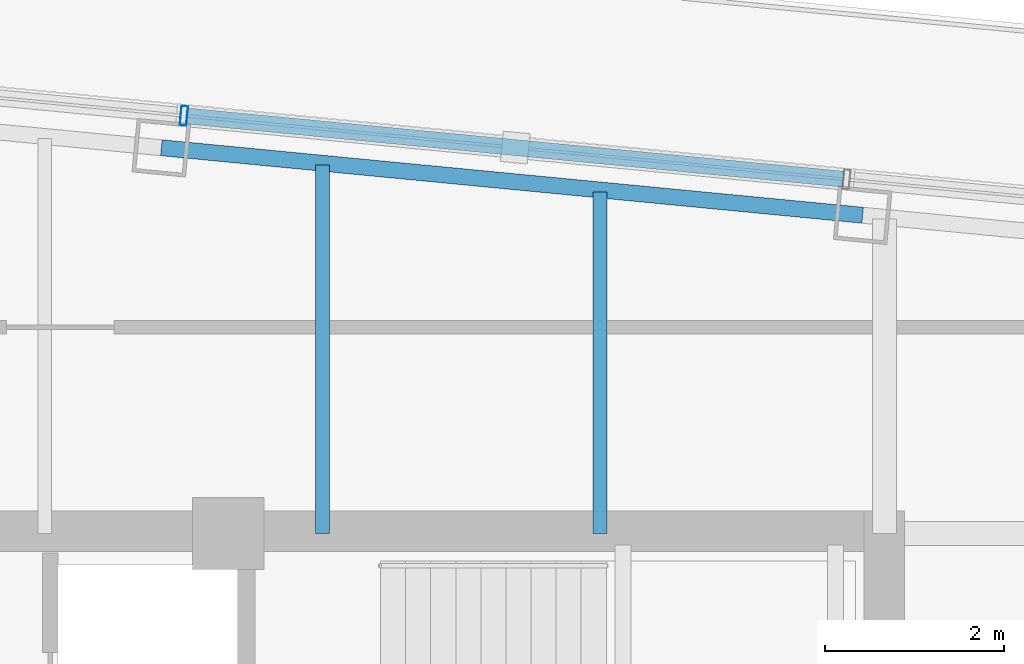
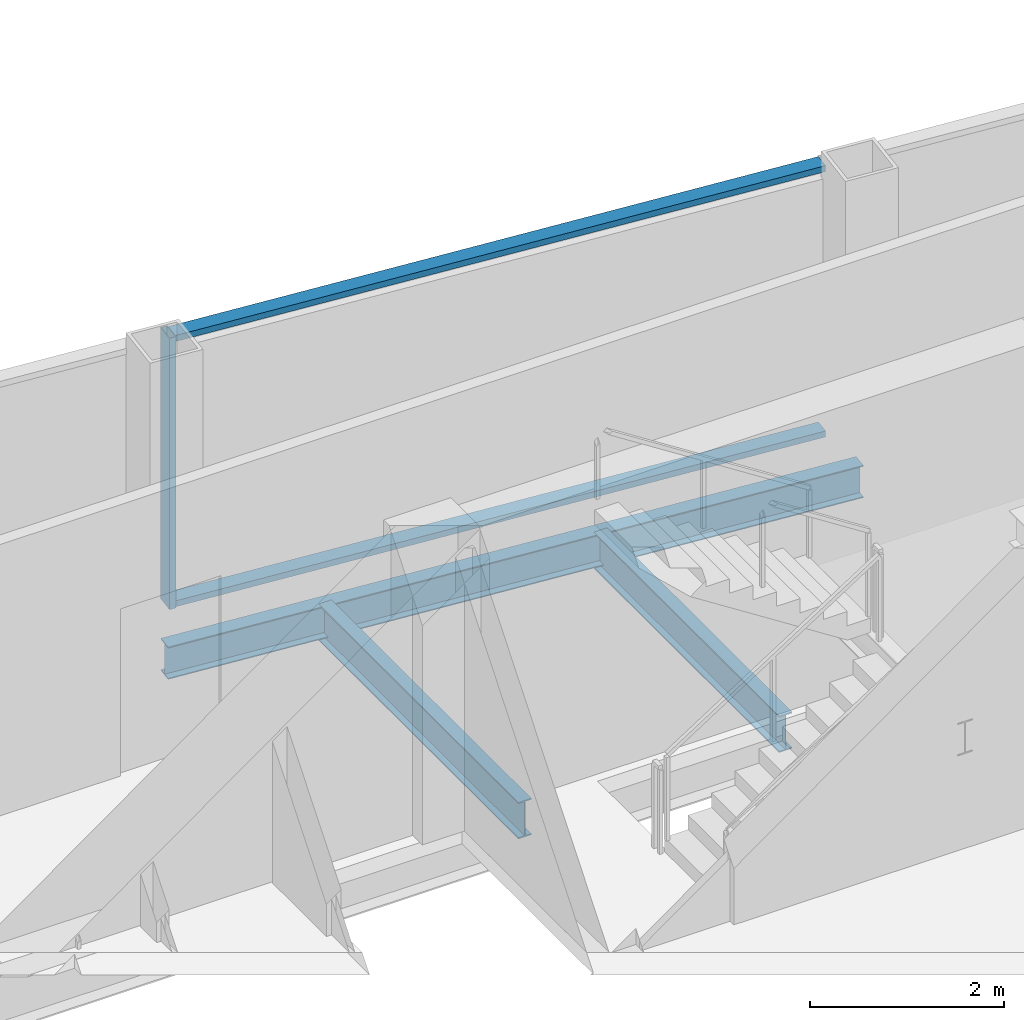
# One storey, part 13 of 23: 3 beams, 3 members, 1 element without a shape of its own.
"""IFC4 building model written with IfcOpenShell, lengths in metres."""

from ifc_helpers import new_model, si_unit, direction, frame, origin, origin_2d, place, context, subcontext, project, spatial, hollow_rectangle, i_section, extrude, material, layer, layer_set, material_profile, profile_set, type_object, element, aggregate, save


model = new_model("IFC4")

# Units and contexts
model_context = context("Model", 3, precision=1e-05, world=origin(), true_north=direction((0.0, 1.0)))
body_context = subcontext(model_context, "Body", "Model", "MODEL_VIEW")
ifc_project = project(units=[si_unit("LENGTHUNIT", "METRE"), si_unit("AREAUNIT", "SQUARE_METRE"), si_unit("VOLUMEUNIT", "CUBIC_METRE"), si_unit("PLANEANGLEUNIT", "RADIAN"), si_unit("MASSUNIT", "GRAM", prefix="KILO")], contexts=[model_context])

# Site, building, storey
site_placement = place(None, origin())
site = spatial("IfcSite", under=ifc_project, at=site_placement, CompositionType="ELEMENT")
building_placement = place(site_placement, origin())
building = spatial("IfcBuilding", under=site, at=building_placement, Name="Qhalaya Broadcast Tower", CompositionType="ELEMENT")
storey_placement = place(building_placement, frame((0.0, 0.0, 276.949951171875)))
storey = spatial("IfcBuildingStorey", under=building, at=storey_placement, Name="L82", CompositionType="ELEMENT", Elevation=276.949951171875)

# Beams
ifc_material_1 = material(Name="Structural Steel ASTM A992 Grade 50", Category="steel")
ifc_material_profile_1 = material_profile(ifc_material_1, i_section(OverallWidth=0.154052734375, OverallDepth=0.458984375, WebThickness=0.009033203125, FlangeThickness=0.015380859375, at=origin_2d()), Name="W18X46")
ifc_profile_set_1 = profile_set([ifc_material_profile_1], Name="Structural Steel ASTM A992 Grade 50")
beam_type_1 = type_object("IfcBeamType", Name="Composite Floor Joist J04", PredefinedType="JOIST", material=ifc_profile_set_1)
beam_1_placement = place(storey_placement, frame((3.10009765625, 9.949951171875, -0.41943359375), z_axis=(0.0, 1.0, 0.0), x_axis=(-1.0, 0.0, 0.0)))
element("IfcBeam", 1, at=beam_1_placement, inside=storey, type_object=beam_type_1, Name="L82 J04 L82-JNN4-1", PredefinedType="JOIST", context=body_context, shape_type="SweptSolid", body=[
    extrude(i_section(OverallWidth=0.154052734375, OverallDepth=0.458984375, WebThickness=0.009033203125, FlangeThickness=0.015380859375, at=origin_2d()), origin(), (0.0, 0.0, 1.0), 4.11328125),
])
beam_2_placement = place(storey_placement, frame((6.199951171875, 9.949951171875, -0.41943359375), z_axis=(0.0, 1.0, 0.0), x_axis=(-1.0, 0.0, 0.0)))
element("IfcBeam", 2, at=beam_2_placement, inside=storey, type_object=beam_type_1, Name="L82 J04 L82-JNN5-1", PredefinedType="JOIST", context=body_context, shape_type="SweptSolid", body=[
    extrude(i_section(OverallWidth=0.154052734375, OverallDepth=0.458984375, WebThickness=0.009033203125, FlangeThickness=0.015380859375, at=origin_2d()), origin(), (0.0, 0.0, 1.0), 3.814697265625),
])

# Curtain wall, members
ifc_material_2 = material(Name="Solar-Control Low-E Triple Glazing", Category="glass")
ifc_layer = layer(ifc_material_2, 0.219970703125, Name="Solar-Control Low-E Triple Glazing")
ifc_layer_set = layer_set([ifc_layer], Name="Solar-Control Low-E Triple Glazing")
curtain_wall_type = type_object("IfcCurtainWallType", Name="Crown Garden & Observation Windscreen Curtain Wall CW-06", PredefinedType="NOTDEFINED", material=ifc_layer_set)
curtain_wall_placement = place(storey_placement, origin())
curtain_wall = element("IfcCurtainWall", 3, at=curtain_wall_placement, inside=storey, type_object=curtain_wall_type, Name="L82 Unitised Curtain Wall L82-CW-N", PredefinedType="NOTDEFINED")
ifc_material_3 = material(Name="Anodised Aluminium 6063-T6", Category="aluminium")
ifc_material_profile_2 = material_profile(ifc_material_3, hollow_rectangle(XDim=0.074951171875, YDim=0.219970703125, WallThickness=0.00390625, at=origin_2d()), Name="ALU-MUL 75x220x4")
ifc_profile_set_2 = profile_set([ifc_material_profile_2], Name="Anodised Aluminium 6063-T6")
member_type_1 = type_object("IfcMemberType", Name="Unitised Curtain-Wall Mullion M01", PredefinedType="MULLION", material=ifc_profile_set_2)
member_1_placement = place(storey_placement, frame((1.55419921875, 14.614013671875, 0.0), z_axis=(0.0, 0.0, 1.0), x_axis=(-0.995396013928, 0.095847667974, 0.0)))
member_1 = element("IfcMember", 4, at=member_1_placement, type_object=member_type_1, Name="CW-06 mullion 3", PredefinedType="MULLION", context=body_context, shape_type="SweptSolid", body=[
    extrude(hollow_rectangle(XDim=0.074951171875, YDim=0.219970703125, WallThickness=0.00390625, at=origin_2d()), origin(), (0.0, 0.0, 1.0), 3.41015625),
])
ifc_material_profile_3 = material_profile(ifc_material_3, hollow_rectangle(XDim=0.074951171875, YDim=0.179931640625, WallThickness=0.00390625, at=origin_2d()), Name="ALU-TRN 75x180x4")
ifc_profile_set_3 = profile_set([ifc_material_profile_3], Name="Anodised Aluminium 6063-T6")
member_type_2 = type_object("IfcMemberType", Name="Unitised Curtain-Wall Transom T01", PredefinedType="USERDEFINED", material=ifc_profile_set_3)
member_2_placement = place(storey_placement, frame((8.916015625, 13.905029296875, 0.03759765625), z_axis=(-0.995395463126, 0.095853387986, 0.0), x_axis=(0.0, 0.0, 1.0)))
member_2 = element("IfcMember", 5, at=member_2_placement, type_object=member_type_2, Name="CW-06 transom 2.1", ObjectType="TRANSOM", PredefinedType="USERDEFINED", context=body_context, shape_type="SweptSolid", body=[
    extrude(hollow_rectangle(XDim=0.074951171875, YDim=0.179931640625, WallThickness=0.00390625, at=origin_2d()), origin(), (0.0, 0.0, 1.0), 7.3583984375),
])
member_3_placement = place(storey_placement, frame((8.916015625, 13.905029296875, 3.37255859375), z_axis=(-0.995395463126, 0.095853387986, 0.0), x_axis=(0.0, 0.0, 1.0)))
member_3 = element("IfcMember", 6, at=member_3_placement, type_object=member_type_2, Name="CW-06 transom 2.2", ObjectType="TRANSOM", PredefinedType="USERDEFINED", context=body_context, shape_type="SweptSolid", body=[
    extrude(hollow_rectangle(XDim=0.074951171875, YDim=0.179931640625, WallThickness=0.00390625, at=origin_2d()), origin(), (0.0, 0.0, 1.0), 7.3583984375),
])
aggregate(curtain_wall, [member_1, member_2, member_3])

# Beam
ifc_material_profile_4 = material_profile(ifc_material_1, i_section(OverallWidth=0.177978515625, OverallDepth=0.406005859375, WebThickness=0.0078125, FlangeThickness=0.0126953125, at=origin_2d()), Name="W16X40")
ifc_profile_set_4 = profile_set([ifc_material_profile_4], Name="Structural Steel ASTM A992 Grade 50")
beam_type_2 = type_object("IfcBeamType", Name="Upper Perimeter Spandrel Beam SP2", PredefinedType="SPANDREL", material=ifc_profile_set_4)
beam_3_placement = place(storey_placement, frame((9.132568359375, 13.50244140625, -0.39306640625), z_axis=(-0.995397308407, 0.095834223619, 0.0), x_axis=(-0.095834223619, -0.995397308407, 0.0)))
element("IfcBeam", 7, at=beam_3_placement, inside=storey, type_object=beam_type_2, Name="L82 SP2 L82-SPR-10", PredefinedType="SPANDREL", context=body_context, shape_type="SweptSolid", body=[
    extrude(i_section(OverallWidth=0.177978515625, OverallDepth=0.406005859375, WebThickness=0.0078125, FlangeThickness=0.0126953125, at=origin_2d()), origin(), (0.0, 0.0, 1.0), 7.86669921875),
])

save(model, "model.ifc")
